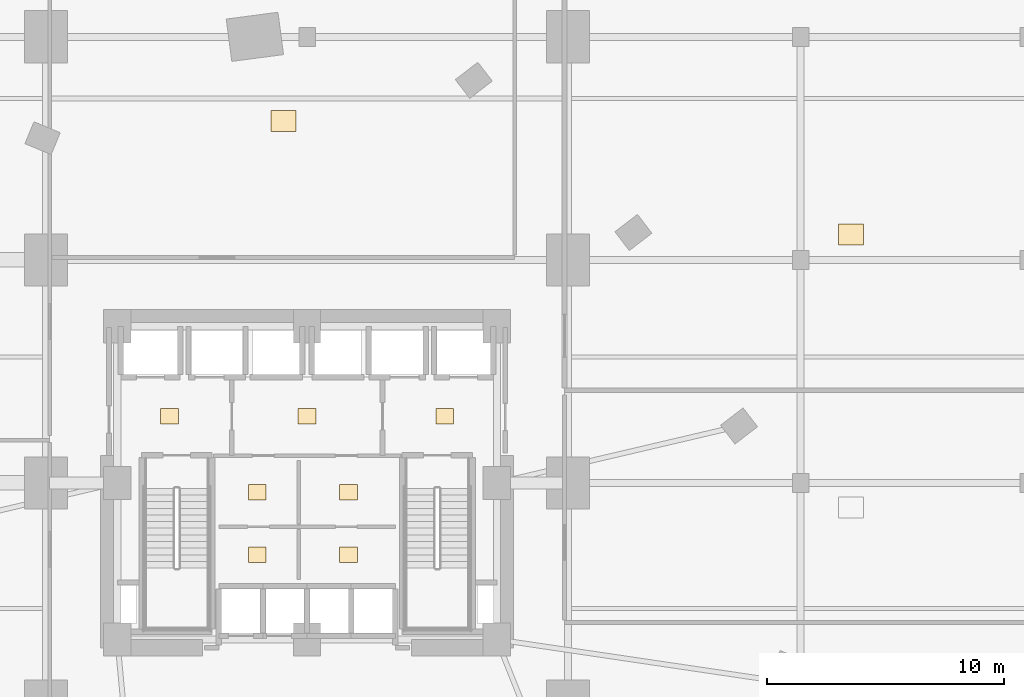
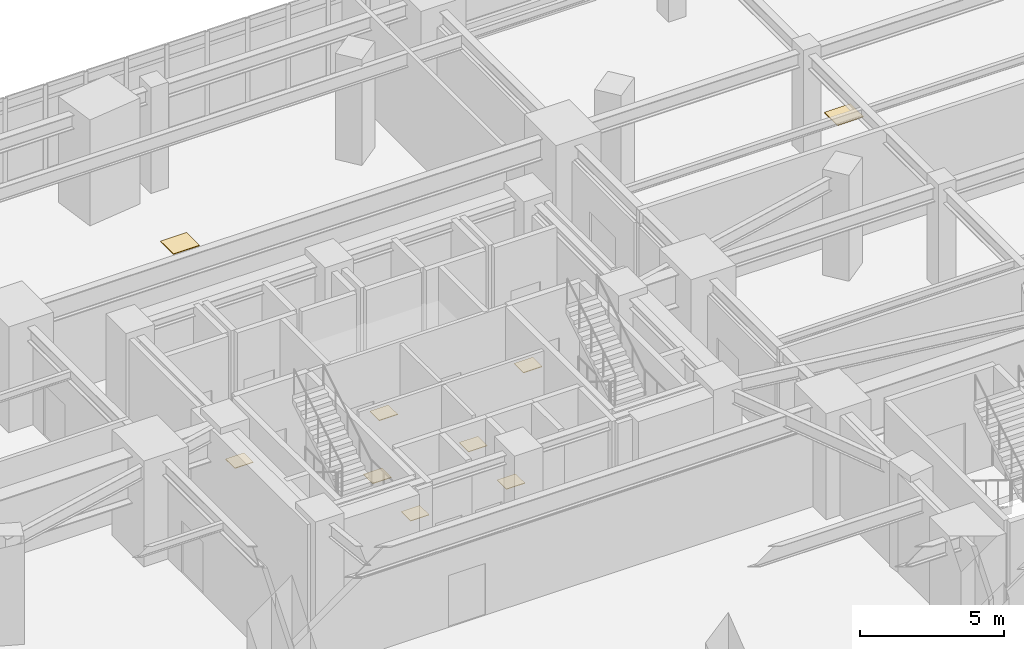
# One storey, part 19 of 19: 9 coverings.
"""IFC4 building model written with IfcOpenShell, lengths in metres."""

import ifcopenshell
import ifcopenshell.guid

model = None  # the IFC model being written
_history = None  # IfcOwnerHistory: only IFC2X3 demands one
_inside = {}  # id of a spatial element -> (the spatial element, [elements in it])
_under = {}  # id of a project, library or spatial element -> (it, [spatial elements below it])
_declared = {}  # id of a project -> (the project, [libraries it declares])
_typed = {}  # id of a type object -> (the type object, [elements of that type])
_made_of = {}  # id of a material, layer set ... -> (it, [elements and type objects made of it])


def new_model(schema):
    """Start an empty IFC model of exactly this schema.

    Asked for "IFC4X3", IfcOpenShell would pick the latest addendum, in which some entities
    have other attributes; the version numbers below select the first issue.
    IFC2X3 requires an IfcOwnerHistory on every rooted entity: one is made here for all.
    """
    global model, _history
    if schema == "IFC4X3":
        model = ifcopenshell.file(schema_version=(4, 3, 0, 0))
    else:
        model = ifcopenshell.file(schema=schema)
    _inside.clear()
    _under.clear()
    _declared.clear()
    _typed.clear()
    _made_of.clear()
    _history = None
    if model.schema == "IFC2X3":
        org = make("IfcOrganization", Name="unknown")
        user = make(
            "IfcPersonAndOrganization",
            ThePerson=make("IfcPerson", FamilyName="unknown"),
            TheOrganization=org,
        )
        app = make(
            "IfcApplication",
            ApplicationDeveloper=org,
            Version="unknown",
            ApplicationFullName="unknown",
            ApplicationIdentifier="unknown",
        )
        _history = make(
            "IfcOwnerHistory",
            OwningUser=user,
            OwningApplication=app,
            ChangeAction="ADDED",
            CreationDate=0,
        )
    return model


def make(cls, **values):
    """One entity of the class cls with the attributes given. An attribute that is None is left unset."""
    return model.create_entity(
        cls, **{name: value for name, value in values.items() if value is not None}
    )


def rooted(cls, **values):
    """An entity with a GlobalId (a new one), such as an element, a storey or a relation."""
    return make(cls, GlobalId=ifcopenshell.guid.new(), OwnerHistory=_history, **values)


def si_unit(unit_type, name, prefix=None):
    """IfcSIUnit, for example si_unit("LENGTHUNIT", "METRE", prefix="MILLI")."""
    return make("IfcSIUnit", UnitType=unit_type, Prefix=prefix, Name=name)


def assignment(units):
    """IfcUnitAssignment: the units of a project."""
    return None if units is None else make("IfcUnitAssignment", Units=units)


def point(xyz):
    """IfcCartesianPoint."""
    return None if xyz is None else make("IfcCartesianPoint", Coordinates=xyz)


def direction(xyz):
    """IfcDirection."""
    return None if xyz is None else make("IfcDirection", DirectionRatios=xyz)


def frame(location, z_axis=None, x_axis=None):
    """IfcAxis2Placement3D, a coordinate frame: its origin and axes. An axis left out is left unset."""
    return make(
        "IfcAxis2Placement3D",
        Location=point(location),
        Axis=direction(z_axis),
        RefDirection=direction(x_axis),
    )


def frame_2d(location, x_axis=None):
    """IfcAxis2Placement2D, a coordinate frame in the plane: its origin and x axis."""
    return make(
        "IfcAxis2Placement2D", Location=point(location), RefDirection=direction(x_axis)
    )


def origin():
    """The frame at (0, 0, 0) with its axes left unset."""
    return frame((0.0, 0.0, 0.0))


def origin_2d():
    """The frame at (0, 0) in the plane with its x axis left unset."""
    return frame_2d((0.0, 0.0))


def place(relative_to, where):
    """IfcLocalPlacement: puts the frame where relative to a parent placement (None: the world)."""
    return make(
        "IfcLocalPlacement", PlacementRelTo=relative_to, RelativePlacement=where
    )


def context(
    kind, dimensions, precision=None, world=None, true_north=None, identifier=None
):
    """IfcGeometricRepresentationContext, for example the 3D "Model" context."""
    return make(
        "IfcGeometricRepresentationContext",
        ContextIdentifier=identifier,
        ContextType=kind,
        CoordinateSpaceDimension=dimensions,
        Precision=precision,
        WorldCoordinateSystem=world,
        TrueNorth=true_north,
    )


def subcontext(parent, identifier, kind, view, scale=None):
    """IfcGeometricRepresentationSubContext, for example "Body" below "Model"."""
    return make(
        "IfcGeometricRepresentationSubContext",
        ContextIdentifier=identifier,
        ContextType=kind,
        ParentContext=parent,
        TargetScale=scale,
        TargetView=view,
    )


def project(units=None, contexts=None):
    """IfcProject with its units and contexts."""
    return rooted(
        "IfcProject",
        Name="project",
        RepresentationContexts=contexts,
        UnitsInContext=assignment(units),
    )


def spatial(cls, under=None, at=None, **own):
    """A site, building, storey or space (cls), placed at a placement, below another one or the project."""
    s = rooted(cls, ObjectPlacement=at, **own)
    if under is not None:
        _under.setdefault(under.id(), (under, []))[1].append(s)
    return s


def profile(cls, at=None, kind="AREA", **sizes):
    """A parametric profile (cls). Its sizes go by their IFC names, for example OverallWidth=200.0."""
    return make(cls, ProfileType=kind, Position=at, **sizes)


def rectangle(**sizes):
    """IfcRectangleProfileDef."""
    return profile("IfcRectangleProfileDef", **sizes)


def extrude(swept, where, along, depth):
    """IfcExtrudedAreaSolid: the profile swept, set in the frame where, extruded along a direction by depth."""
    return make(
        "IfcExtrudedAreaSolid",
        SweptArea=swept,
        Position=where,
        ExtrudedDirection=direction(along),
        Depth=depth,
    )


def shape(context_of_items, identifier, shape_type, items):
    """IfcShapeRepresentation: the items that make up one representation, for example the "Body"."""
    return make(
        "IfcShapeRepresentation",
        ContextOfItems=context_of_items,
        RepresentationIdentifier=identifier,
        RepresentationType=shape_type,
        Items=items,
    )


def material(Name=None, Category=None):
    """IfcMaterial."""
    return make("IfcMaterial", Name=Name, Category=Category)


def layer(
    of_material, thickness, ventilated=None, Name=None, Category=None, Priority=None
):
    """IfcMaterialLayer: one layer of a wall or slab, of a material (None: an air gap)."""
    return make(
        "IfcMaterialLayer",
        Material=of_material,
        LayerThickness=thickness,
        IsVentilated=ventilated,
        Name=Name,
        Category=Category,
        Priority=Priority,
    )


def layer_set(layers, Name=None):
    """IfcMaterialLayerSet."""
    return make("IfcMaterialLayerSet", MaterialLayers=layers, LayerSetName=Name)


def made_of(thing, what):
    """Note that an element or type object is made of a material, layer set ...; save() writes the relation."""
    if what is not None:
        _made_of.setdefault(what.id(), (what, []))[1].append(thing)
    return thing


def type_object(cls, material=None, **own):
    """A type object (cls), such as IfcWallType, which elements share."""
    return made_of(rooted(cls, **own), material)


def element(
    cls,
    number,
    at=None,
    inside=None,
    cuts=None,
    type_object=None,
    material=None,
    context=None,
    identifier="Body",
    shape_type=None,
    held_by="IfcProductDefinitionShape",
    body=None,
    shapes=None,
    **own,
):
    """One element of the class cls, such as IfcWall. Its Tag is "e" and its number.

    at: its placement. inside: the storey or other place that contains it. cuts: it is an
    opening in that element (IfcRelVoidsElement). A single representation is given by context,
    identifier, shape_type and body (its items); several are given by shapes. held_by: the class
    of the entity that holds the representations. save() writes the other relations.
    """
    e = rooted(cls, Tag="e%d" % number, ObjectPlacement=at, **own)
    if body is not None:
        shapes = [shape(context, identifier, shape_type, body)]
    if shapes is not None:
        e.Representation = make(held_by, Representations=shapes)
    if inside is not None:
        _inside.setdefault(inside.id(), (inside, []))[1].append(e)
    if cuts is not None:
        rooted(
            "IfcRelVoidsElement", RelatingBuildingElement=cuts, RelatedOpeningElement=e
        )
    if type_object is not None:
        _typed.setdefault(type_object.id(), (type_object, []))[1].append(e)
    return made_of(e, material)


def aggregate(whole, parts):
    """IfcRelAggregates: a whole, such as a stair, and the parts it consists of."""
    return rooted("IfcRelAggregates", RelatingObject=whole, RelatedObjects=parts)


def save(model, path):
    """Write the relations noted so far, then the file.

    IfcRelAggregates (storeys below a building ...), IfcRelContainedInSpatialStructure (elements
    in a storey), IfcRelDefinesByType, IfcRelAssociatesMaterial and IfcRelDeclares: one each for
    every whole, place, type object, material and project.
    """
    for whole, parts in _under.values():
        aggregate(whole, parts)
    for where, things in _inside.values():
        rooted(
            "IfcRelContainedInSpatialStructure",
            RelatedElements=things,
            RelatingStructure=where,
        )
    for kind, things in _typed.values():
        rooted("IfcRelDefinesByType", RelatedObjects=things, RelatingType=kind)
    for what, things in _made_of.values():
        rooted("IfcRelAssociatesMaterial", RelatedObjects=things, RelatingMaterial=what)
    for by, libraries in _declared.values():
        rooted("IfcRelDeclares", RelatingContext=by, RelatedDefinitions=libraries)
    model.write(path)


model = new_model("IFC4")

# Units and contexts
model_context = context("Model", 3, precision=1e-05, world=origin(), true_north=direction((0.0, 1.0)))
body_context = subcontext(model_context, "Body", "Model", "MODEL_VIEW")
ifc_project = project(units=[si_unit("LENGTHUNIT", "METRE"), si_unit("AREAUNIT", "SQUARE_METRE"), si_unit("VOLUMEUNIT", "CUBIC_METRE"), si_unit("PLANEANGLEUNIT", "RADIAN"), si_unit("MASSUNIT", "GRAM", prefix="KILO")], contexts=[model_context])

# Site, building, storey
site_placement = place(None, origin())
site = spatial("IfcSite", under=ifc_project, at=site_placement, CompositionType="ELEMENT")
building_placement = place(site_placement, origin())
building = spatial("IfcBuilding", under=site, at=building_placement, Name="Ndelora Gate Hotel", CompositionType="ELEMENT")
storey_placement = place(building_placement, frame((0.0, 0.0, 21.5)))
storey = spatial("IfcBuildingStorey", under=building, at=storey_placement, Name="L04", CompositionType="ELEMENT", Elevation=21.5)

# Coverings
ifc_material_1 = material(Name="Engineered Highland Oak Parquet", Category="wood")
ifc_layer_1 = layer(ifc_material_1, 0.030029296875)
ifc_layer_set_1 = layer_set([ifc_layer_1], Name="Engineered Highland Oak Parquet")
covering_type_1 = type_object("IfcCoveringType", Name="COV-FLR-PARQ", PredefinedType="FLOORING", material=ifc_layer_set_1)
for number, where, z_axis, x_axis, name in (
    (1, (-1.0, 15.25, 0.0), (0.0, 0.0, 1.0), (1.0, 0.0, 0.0), "L04 Delegate Reception Salon Oak Parquet Flooring"),
    (2, (22.925048828125, 10.46875, 0.0), (0.0, 0.0, 1.0), (1.0, 0.0, 0.0), "L04 Banquet Production Kitchen Oak Parquet Flooring"),
):
    element("IfcCovering", number, at=place(storey_placement, frame(where, z_axis=z_axis, x_axis=x_axis)), inside=storey, type_object=covering_type_1, Name=name, PredefinedType="FLOORING", context=body_context, shape_type="SweptSolid", body=[
        extrude(rectangle(XDim=1.050048828125, YDim=0.89990234375, at=origin_2d()), origin(), (0.0, 0.0, 1.0), 0.030029296875),
    ])
ifc_material_2 = material(Name="Non-Slip Porcelain Wet-Room Tile", Category="ceramic")
ifc_layer_2 = layer(ifc_material_2, 0.02490234375)
ifc_layer_set_2 = layer_set([ifc_layer_2], Name="Non-Slip Porcelain Wet-Room Tile")
covering_type_2 = type_object("IfcCoveringType", Name="COV-FLR-TILE", PredefinedType="FLOORING", material=ifc_layer_set_2)
for number, where, z_axis, x_axis, name in (
    (3, (-5.800048828125, 2.800048828125, 0.0), (0.0, 0.0, 1.0), (1.0, 0.0, 0.0), "L04 Firefighting Lift Lobby West Porcelain Tile Flooring"),
    (4, (5.800048828125, 2.800048828125, 0.0), (0.0, 0.0, 1.0), (1.0, 0.0, 0.0), "L04 Firefighting Lift Lobby East Porcelain Tile Flooring"),
    (5, (0.0, 2.800048828125, 0.0), (0.0, 0.0, 1.0), (1.0, 0.0, 0.0), "L04 Central Passenger Lift Lobby Porcelain Tile Flooring"),
    (6, (-2.10009765625, -0.39990234375, 0.0), (0.0, 0.0, 1.0), (1.0, 0.0, 0.0), "L04 Core Electrical Closet Porcelain Tile Flooring"),
    (7, (1.75, -0.39990234375, 0.0), (0.0, 0.0, 1.0), (1.0, 0.0, 0.0), "L04 Comms Patching Store Porcelain Tile Flooring"),
    (8, (-2.10009765625, -3.02490234375, 0.0), (0.0, 0.0, 1.0), (1.0, 0.0, 0.0), "L04 Valet Laundry Store Porcelain Tile Flooring"),
    (9, (1.75, -3.02490234375, 0.0), (0.0, 0.0, 1.0), (1.0, 0.0, 0.0), "L04 Housekeeping Reserve Store Porcelain Tile Flooring"),
):
    element("IfcCovering", number, at=place(storey_placement, frame(where, z_axis=z_axis, x_axis=x_axis)), inside=storey, type_object=covering_type_2, Name=name, PredefinedType="FLOORING", context=body_context, shape_type="SweptSolid", body=[
        extrude(rectangle(XDim=0.75, YDim=0.64990234375, at=origin_2d()), origin(), (0.0, 0.0, 1.0), 0.02490234375),
    ])

save(model, "model.ifc")
